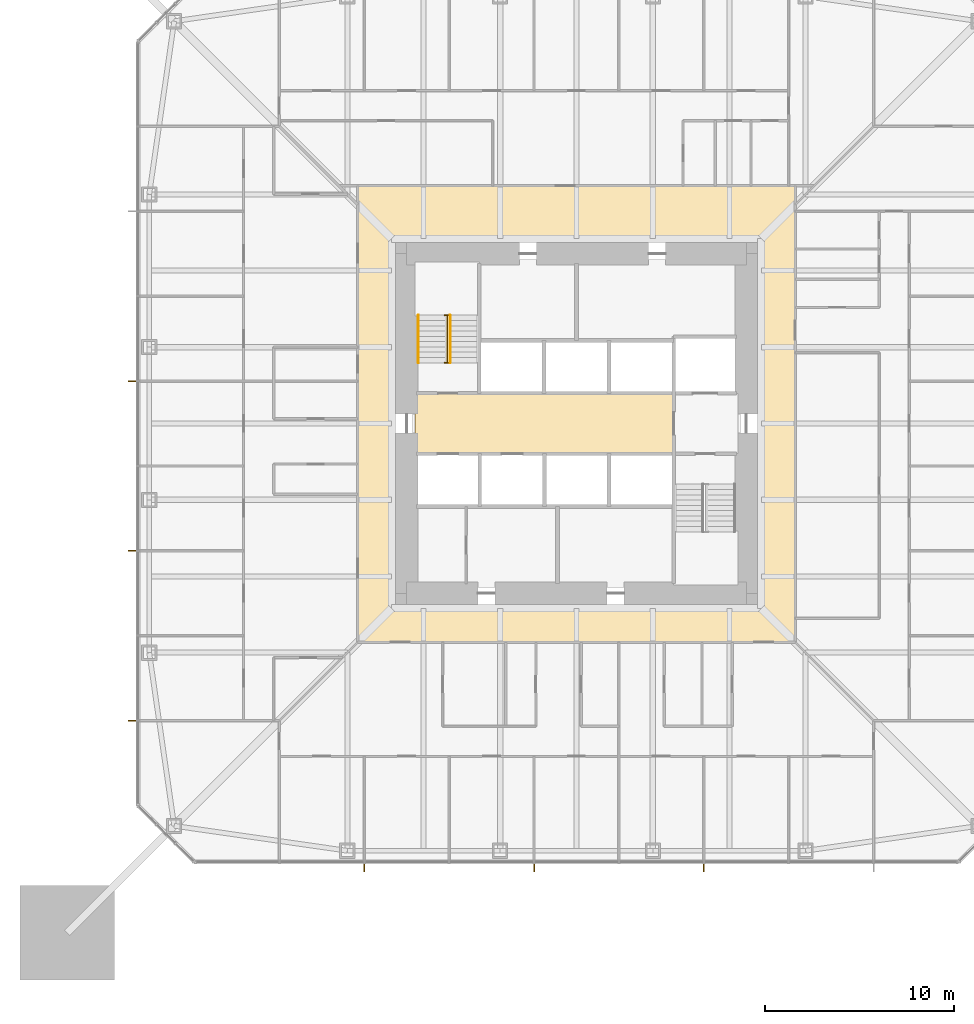
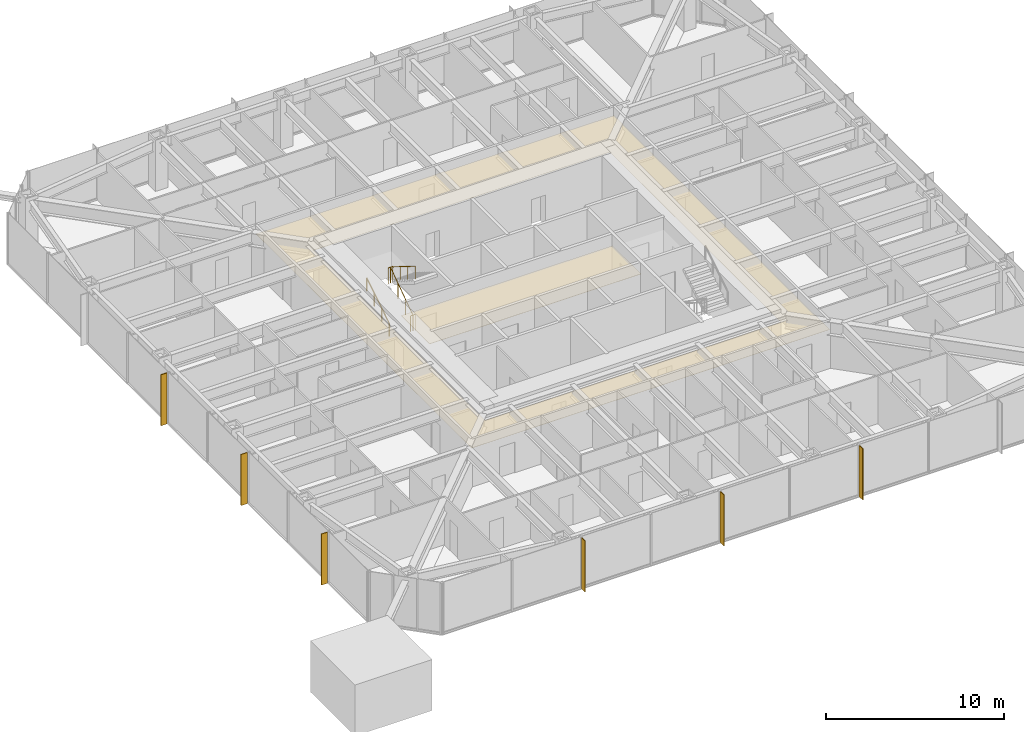
# One storey, part 23 of 26: 6 shading devices, 3 railings, 2 coverings.
"""IFC4 building model written with IfcOpenShell, lengths in metres."""

from ifc_helpers import new_model, si_unit, direction, frame, origin, origin_2d, place, context, subcontext, project, spatial, polyline, rectangle, circle, outline, extrude, material, layer, layer_set, constituent, constituent_set, type_object, element, save


model = new_model("IFC4")

# Units and contexts
model_context = context("Model", 3, precision=1e-05, world=origin(), true_north=direction((0.0, 1.0)))
body_context = subcontext(model_context, "Body", "Model", "MODEL_VIEW")
ifc_project = project(units=[si_unit("LENGTHUNIT", "METRE"), si_unit("AREAUNIT", "SQUARE_METRE"), si_unit("VOLUMEUNIT", "CUBIC_METRE"), si_unit("PLANEANGLEUNIT", "RADIAN"), si_unit("MASSUNIT", "GRAM", prefix="KILO")], contexts=[model_context])

# Site, building, storey
site_placement = place(None, origin())
site = spatial("IfcSite", under=ifc_project, at=site_placement, CompositionType="ELEMENT")
building_placement = place(site_placement, origin())
building = spatial("IfcBuilding", under=site, at=building_placement, Name="Iwan Alto Co-Living Towers", CompositionType="ELEMENT")
storey_placement = place(building_placement, frame((0.0, 0.0, 57.0)))
storey = spatial("IfcBuildingStorey", under=building, at=storey_placement, Name="L15", CompositionType="ELEMENT", Elevation=57.0)

# Covering
ifc_material_1 = material(Name="Mineral fibre acoustic tiles on steel grid", Category="steel")
ifc_layer_1 = layer(ifc_material_1, 0.02001953125)
ifc_layer_set_1 = layer_set([ifc_layer_1], Name="ACOUSTIC TILE CEILING 20")
covering_type_1 = type_object("IfcCoveringType", Name="ACOUSTIC TILE CEILING 20", PredefinedType="CEILING", material=ifc_layer_set_1)
covering_1_placement = place(storey_placement, frame((0.0, 0.0, 2.60009765625)))
element("IfcCovering", 1, at=covering_1_placement, inside=storey, type_object=covering_type_1, Name="Ceiling Lift lobby L15", PredefinedType="CEILING", context=body_context, shape_type="SweptSolid", body=[
    extrude(outline(polyline([(-8.550048828125, -1.60009765625), (-8.550048828125, 1.60009765625), (5.14990234375, 1.60009765625), (5.14990234375, -1.60009765625), (-8.550048828125, -1.60009765625)])), origin(), (0.0, 0.0, 1.0), 0.02001953125),
])

# Shading devices
ifc_material_2 = material(Name="Aluminium 6063-T6 bronze anodised", Category="aluminium")
ifc_layer_2 = layer(ifc_material_2, 0.050048828125)
ifc_layer_set_2 = layer_set([ifc_layer_2], Name="BRONZE FIN 50X400")
shading_device_type = type_object("IfcShadingDeviceType", Name="BRONZE FIN 50X400", PredefinedType="USERDEFINED", material=ifc_layer_set_2)
for number, where, z_axis, x_axis, name in (
    (2, (-11.25, -23.550048828125, 0.0), (0.0, 0.0, 1.0), (1.0, 0.0, 0.0), "Bronze fin L15"),
    (3, (-2.25, -23.550048828125, 0.0), (0.0, 0.0, 1.0), (1.0, 0.0, 0.0), "Bronze fin L15"),
    (4, (6.75, -23.550048828125, 0.0), (0.0, 0.0, 1.0), (1.0, 0.0, 0.0), "Bronze fin L15"),
    (5, (-23.550048828125, 2.25, 0.0), (0.0, 0.0, 1.0), (0.0, -1.0, 0.0), "Bronze fin L15"),
    (6, (-23.550048828125, -6.75, 0.0), (0.0, 0.0, 1.0), (0.0, -1.0, 0.0), "Bronze fin L15"),
    (7, (-23.550048828125, -15.75, 0.0), (0.0, 0.0, 1.0), (0.0, -1.0, 0.0), "Bronze fin L15"),
):
    element("IfcShadingDevice", number, at=place(storey_placement, frame(where, z_axis=z_axis, x_axis=x_axis)), inside=storey, type_object=shading_device_type, Name=name, ObjectType="LOUVER", PredefinedType="USERDEFINED", context=body_context, shape_type="SweptSolid", body=[
        extrude(rectangle(XDim=0.050048828125, YDim=0.39990234375, at=origin_2d()), origin(), (0.0, 0.0, 1.0), 3.5),
    ])

# Railings
ifc_material_3 = material(Name="Steel ASTM A500 Gr C", Category="steel")
ifc_constituent_1 = constituent(ifc_material_3, Name="Rails and posts", Category="Framing")
ifc_material_4 = material(Name="Steel ASTM A36", Category="steel")
ifc_constituent_2 = constituent(ifc_material_4, Name="Bar infill", Category="Infill")
ifc_constituent_set = constituent_set(constituents=[ifc_constituent_1, ifc_constituent_2], Name="STAIR GUARD 1100")
railing_type_1 = type_object("IfcRailingType", Name="STAIR GUARD 1100", PredefinedType="GUARDRAIL", material=ifc_constituent_set)
railing_1_placement = place(storey_placement, frame((-6.85009765625, 3.219970703125, 0.0)))
element("IfcRailing", 8, at=railing_1_placement, inside=storey, type_object=railing_type_1, Name="Stair T1-S1 well guard L15", PredefinedType="GUARDRAIL", context=body_context, shape_type="SweptSolid", body=[
    extrude(circle(Radius=0.02392578125, at=origin_2d()), frame((0.0, 0.0, 1.076171875), z_axis=(0.0, 0.821372036852, 0.570392826987), x_axis=(-1.0, 0.0, 0.0)), (0.0, 0.0, 1.0), 3.068115234375),
    extrude(circle(Radius=0.02392578125, at=origin_2d()), frame((-0.14990234375, 0.0, 1.076171875), z_axis=(1.0, 0.0, 0.0), x_axis=(0.0, 1.0, 0.0)), (0.0, 0.0, 1.0), 0.300048828125),
    extrude(circle(Radius=0.02392578125, at=origin_2d()), frame((-0.14990234375, 2.52001953125, 2.826171875), z_axis=(1.0, 0.0, 0.0), x_axis=(0.0, 1.0, 0.0)), (0.0, 0.0, 1.0), 0.300048828125),
    extrude(circle(Radius=0.02099609375, at=origin_2d()), origin(), (0.0, 0.0, 1.0), 1.052001953125),
    extrude(circle(Radius=0.02099609375, at=origin_2d()), frame((0.0, 0.840087890625, 0.583251953125)), (0.0, 0.0, 1.0), 1.052001953125),
    extrude(circle(Radius=0.02099609375, at=origin_2d()), frame((0.0, 1.679931640625, 1.166748046875)), (0.0, 0.0, 1.0), 1.052001953125),
    extrude(circle(Radius=0.02099609375, at=origin_2d()), frame((0.0, 2.52001953125, 1.75)), (0.0, 0.0, 1.0), 1.052001953125),
    extrude(circle(Radius=0.02099609375, at=origin_2d()), frame((-0.14990234375, 0.0, 0.0)), (0.0, 0.0, 1.0), 1.052001953125),
    extrude(circle(Radius=0.02099609375, at=origin_2d()), frame((0.150146484375, 0.0, 0.0)), (0.0, 0.0, 1.0), 1.052001953125),
    extrude(circle(Radius=0.02099609375, at=origin_2d()), frame((-0.14990234375, 2.52001953125, 1.75)), (0.0, 0.0, 1.0), 1.052001953125),
    extrude(circle(Radius=0.02099609375, at=origin_2d()), frame((0.150146484375, 2.52001953125, 1.75)), (0.0, 0.0, 1.0), 1.052001953125),
])
ifc_material_5 = material(Name="Steel ASTM A500 Gr C", Category="steel")
railing_type_2 = type_object("IfcRailingType", Name="STAIR HANDRAIL 900", PredefinedType="HANDRAIL", material=ifc_material_5)
railing_2_placement = place(storey_placement, frame((-8.3798828125, 3.219970703125, 0.175048828125)))
element("IfcRailing", 9, at=railing_2_placement, inside=storey, type_object=railing_type_2, Name="Stair T1-S1 handrail 1 L15", PredefinedType="HANDRAIL", context=body_context, shape_type="SweptSolid", body=[
    extrude(circle(Radius=0.02392578125, at=origin_2d()), frame((0.0, 0.0, 0.8759765625), z_axis=(0.0, 0.848007534815, 0.529984170421), x_axis=(-1.0, 0.0, 0.0)), (0.0, 0.0, 1.0), 2.9716796875),
    extrude(circle(Radius=0.02099609375, at=origin_2d()), origin(), (0.0, 0.0, 1.0), 0.851806640625),
    extrude(circle(Radius=0.02099609375, at=origin_2d()), frame((0.0, 0.840087890625, 0.52490234375)), (0.0, 0.0, 1.0), 0.851806640625),
    extrude(circle(Radius=0.02099609375, at=origin_2d()), frame((0.0, 1.679931640625, 1.050048828125)), (0.0, 0.0, 1.0), 0.851806640625),
    extrude(circle(Radius=0.02099609375, at=origin_2d()), frame((0.0, 2.52001953125, 1.574951171875)), (0.0, 0.0, 1.0), 0.851806640625),
])
railing_3_placement = place(storey_placement, frame((-6.699951171875, 5.739990234375, 1.925048828125)))
element("IfcRailing", 10, at=railing_3_placement, inside=storey, type_object=railing_type_2, Name="Stair T1-S1 handrail 2 L15", PredefinedType="HANDRAIL", context=body_context, shape_type="SweptSolid", body=[
    extrude(circle(Radius=0.02392578125, at=origin_2d()), frame((0.0, 0.0, 0.8759765625), z_axis=(0.0, -0.848007534815, 0.529984170421), x_axis=(1.0, 0.0, 0.0)), (0.0, 0.0, 1.0), 2.9716796875),
    extrude(circle(Radius=0.02099609375, at=origin_2d()), origin(), (0.0, 0.0, 1.0), 0.851806640625),
    extrude(circle(Radius=0.02099609375, at=origin_2d()), frame((0.0, -0.840087890625, 0.52490234375)), (0.0, 0.0, 1.0), 0.851806640625),
    extrude(circle(Radius=0.02099609375, at=origin_2d()), frame((0.0, -1.679931640625, 1.050048828125)), (0.0, 0.0, 1.0), 0.851806640625),
    extrude(circle(Radius=0.02099609375, at=origin_2d()), frame((0.0, -2.52001953125, 1.574951171875)), (0.0, 0.0, 1.0), 0.851806640625),
])

# Covering
ifc_material_6 = material(Name="Gypsum plasterboard on steel grid", Category="steel")
ifc_layer_3 = layer(ifc_material_6, 0.014892578125)
ifc_layer_set_3 = layer_set([ifc_layer_3], Name="SUSPENDED PLASTERBOARD CEILING 15")
covering_type_2 = type_object("IfcCoveringType", Name="SUSPENDED PLASTERBOARD CEILING 15", PredefinedType="CEILING", material=ifc_layer_set_3)
covering_2_placement = place(storey_placement, frame((0.0, 0.0, 2.60009765625)))
element("IfcCovering", 11, at=covering_2_placement, inside=storey, type_object=covering_type_2, Name="Ceiling Corridor L15", PredefinedType="CEILING", context=body_context, shape_type="SweptSolid", body=[
    extrude(outline(polyline([(-11.60009765625, 12.60009765625), (11.60009765625, 12.60009765625), (11.60009765625, -11.60009765625), (-11.60009765625, -11.60009765625), (-11.60009765625, 12.60009765625)]), holes=[polyline([(-9.60009765625, 9.60009765625), (-9.60009765625, -9.60009765625), (9.60009765625, -9.60009765625), (9.60009765625, 9.60009765625), (-9.60009765625, 9.60009765625)])]), origin(), (0.0, 0.0, 1.0), 0.014892578125),
])

save(model, "model.ifc")
